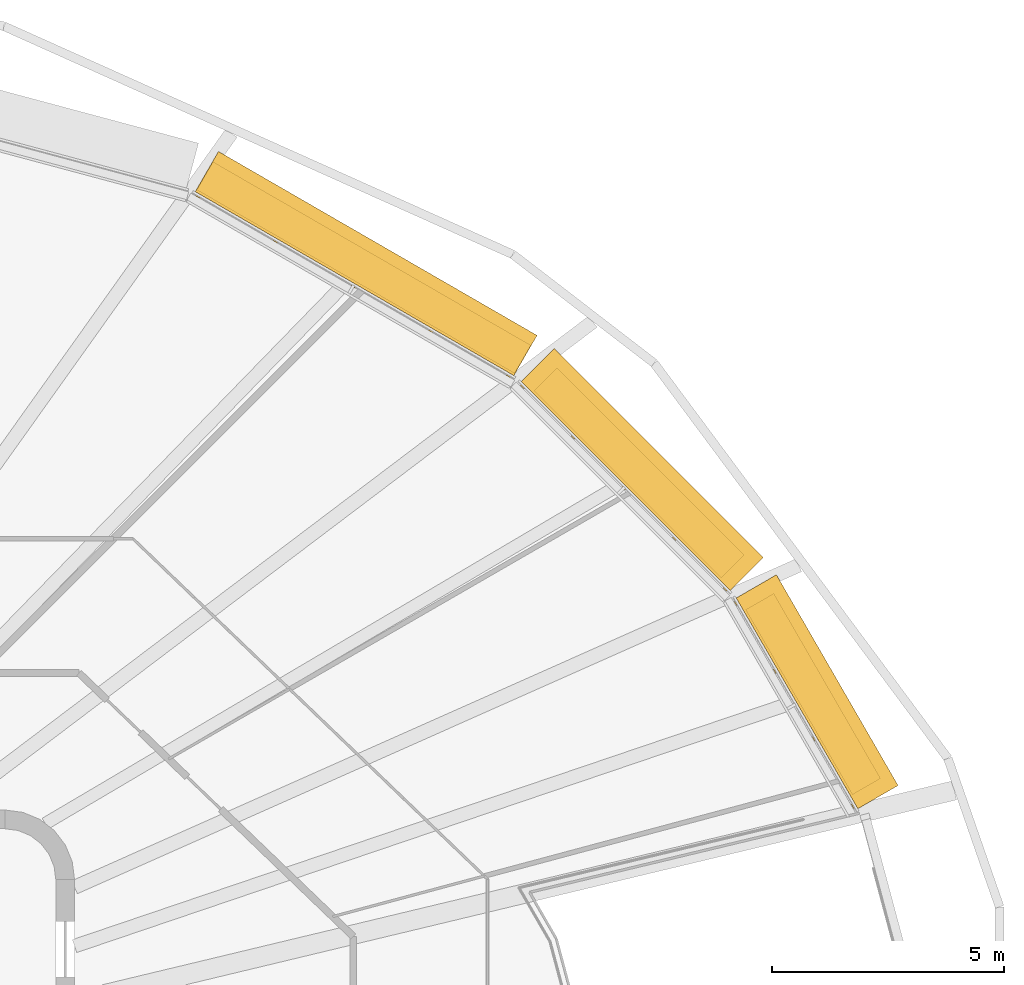
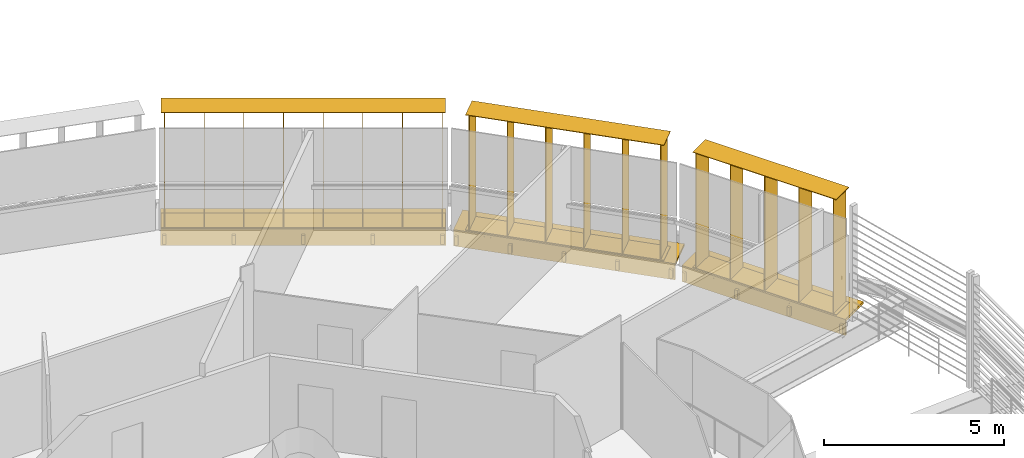
# One storey, part 21 of 21: 6 shading devices.
"""IFC4 building model written with IfcOpenShell, lengths in metres."""

from ifc_helpers import new_model, si_unit, direction, frame, origin, origin_2d, place, context, subcontext, project, spatial, rectangle, extrude, material, type_object, element, save


model = new_model("IFC4")

# Units and contexts
model_context = context("Model", 3, precision=1e-05, world=origin(), true_north=direction((0.0, 1.0)))
body_context = subcontext(model_context, "Body", "Model", "MODEL_VIEW")
ifc_project = project(units=[si_unit("LENGTHUNIT", "METRE"), si_unit("AREAUNIT", "SQUARE_METRE"), si_unit("VOLUMEUNIT", "CUBIC_METRE"), si_unit("PLANEANGLEUNIT", "RADIAN"), si_unit("MASSUNIT", "GRAM", prefix="KILO")], contexts=[model_context])

# Site, building, storey
site_placement = place(None, origin())
site = spatial("IfcSite", under=ifc_project, at=site_placement, CompositionType="ELEMENT")
building_placement = place(site_placement, origin())
building = spatial("IfcBuilding", under=site, at=building_placement, Name="Sahrelin Media Tower", CompositionType="ELEMENT")
storey_placement = place(building_placement, frame((0.0, 0.0, 263.0)))
storey = spatial("IfcBuildingStorey", under=building, at=storey_placement, Name="L57", CompositionType="ELEMENT", Elevation=263.0)

# Shading devices
ifc_material = material(Name="Champagne anodised aluminium 6063-T6", Category="aluminium")
shading_device_type_1 = type_object("IfcShadingDeviceType", Name="Fin cassette", PredefinedType="USERDEFINED", material=ifc_material)
placement_1 = place(storey_placement, frame((27.537109375, 9.2861328125, 0.0), z_axis=(0.0, 0.0, 1.0), x_axis=(0.500011000363, -0.866019052629, 0.0)))
element("IfcShadingDevice", 1, at=placement_1, inside=storey, type_object=shading_device_type_1, Name="L57:FIN:L57-02", ObjectType="FIN", PredefinedType="USERDEFINED", context=body_context, shape_type="SweptSolid", body=[
    extrude(rectangle(XDim=4.60009765625, YDim=0.699951171875, at=origin_2d()), frame((0.0, 0.419921875, 0.0)), (0.0, 0.0, 1.0), 0.02001953125),
    extrude(rectangle(XDim=4.60009765625, YDim=0.699951171875, at=origin_2d()), frame((0.0, 0.419921875, 3.89990234375)), (0.0, 0.0, 1.0), 0.02001953125),
    extrude(rectangle(XDim=0.02001953125, YDim=0.699951171875, at=origin_2d()), frame((-2.199951171875, 0.419921875, 0.010009765625), z_axis=(0.0, 0.0, 1.0), x_axis=(1.0, 0.0, 0.0)), (0.0, 0.0, 1.0), 3.89990234375),
    extrude(rectangle(XDim=0.02001953125, YDim=0.699951171875, at=origin_2d()), frame((-1.10009765625, 0.419921875, 0.010009765625), z_axis=(0.0, 0.0, 1.0), x_axis=(1.0, 0.0, 0.0)), (0.0, 0.0, 1.0), 3.89990234375),
    extrude(rectangle(XDim=0.02001953125, YDim=0.699951171875, at=origin_2d()), frame((0.0, 0.419921875, 0.010009765625), z_axis=(0.0, 0.0, 1.0), x_axis=(1.0, 0.0, 0.0)), (0.0, 0.0, 1.0), 3.89990234375),
    extrude(rectangle(XDim=0.02001953125, YDim=0.699951171875, at=origin_2d()), frame((1.10009765625, 0.419921875, 0.010009765625), z_axis=(0.0, 0.0, 1.0), x_axis=(1.0, 0.0, 0.0)), (0.0, 0.0, 1.0), 3.89990234375),
    extrude(rectangle(XDim=0.02001953125, YDim=0.699951171875, at=origin_2d()), frame((2.199951171875, 0.419921875, 0.010009765625), z_axis=(0.0, 0.0, 1.0), x_axis=(1.0, 0.0, 0.0)), (0.0, 0.0, 1.0), 3.89990234375),
])
placement_2 = place(storey_placement, frame((23.85546875, 13.962890625, 0.0), z_axis=(0.0, 0.0, 1.0), x_axis=(0.707106781187, -0.707106781187, 0.0)))
element("IfcShadingDevice", 2, at=placement_2, inside=storey, type_object=shading_device_type_1, Name="L57:FIN:L57-03", ObjectType="FIN", PredefinedType="USERDEFINED", context=body_context, shape_type="SweptSolid", body=[
    extrude(rectangle(XDim=5.699951171875, YDim=0.699951171875, at=origin_2d()), frame((0.0, 0.419921875, 0.0)), (0.0, 0.0, 1.0), 0.02001953125),
    extrude(rectangle(XDim=5.699951171875, YDim=0.699951171875, at=origin_2d()), frame((0.0, 0.419921875, 3.89990234375)), (0.0, 0.0, 1.0), 0.02001953125),
    extrude(rectangle(XDim=0.02001953125, YDim=0.699951171875, at=origin_2d()), frame((-2.75, 0.419921875, 0.010009765625), z_axis=(0.0, 0.0, 1.0), x_axis=(1.0, 0.0, 0.0)), (0.0, 0.0, 1.0), 3.89990234375),
    extrude(rectangle(XDim=0.02001953125, YDim=0.699951171875, at=origin_2d()), frame((-1.64990234375, 0.419921875, 0.010009765625), z_axis=(0.0, 0.0, 1.0), x_axis=(1.0, 0.0, 0.0)), (0.0, 0.0, 1.0), 3.89990234375),
    extrude(rectangle(XDim=0.02001953125, YDim=0.699951171875, at=origin_2d()), frame((-0.550048828125, 0.419921875, 0.010009765625), z_axis=(0.0, 0.0, 1.0), x_axis=(1.0, 0.0, 0.0)), (0.0, 0.0, 1.0), 3.89990234375),
    extrude(rectangle(XDim=0.02001953125, YDim=0.699951171875, at=origin_2d()), frame((0.550048828125, 0.419921875, 0.010009765625), z_axis=(0.0, 0.0, 1.0), x_axis=(1.0, 0.0, 0.0)), (0.0, 0.0, 1.0), 3.89990234375),
    extrude(rectangle(XDim=0.02001953125, YDim=0.699951171875, at=origin_2d()), frame((1.64990234375, 0.419921875, 0.010009765625), z_axis=(0.0, 0.0, 1.0), x_axis=(1.0, 0.0, 0.0)), (0.0, 0.0, 1.0), 3.89990234375),
    extrude(rectangle(XDim=0.02001953125, YDim=0.699951171875, at=origin_2d()), frame((2.75, 0.419921875, 0.010009765625), z_axis=(0.0, 0.0, 1.0), x_axis=(1.0, 0.0, 0.0)), (0.0, 0.0, 1.0), 3.89990234375),
])
placement_3 = place(storey_placement, frame((18.017578125, 18.31494140625, 0.0), z_axis=(0.0, 0.0, 1.0), x_axis=(0.866019052629, -0.500011000363, 0.0)))
element("IfcShadingDevice", 3, at=placement_3, inside=storey, type_object=shading_device_type_1, Name="L57:FIN:L57-04", ObjectType="FIN", PredefinedType="USERDEFINED", context=body_context, shape_type="SweptSolid", body=[
    extrude(rectangle(XDim=7.89990234375, YDim=0.699951171875, at=origin_2d()), frame((0.0, 0.419921875, 0.0)), (0.0, 0.0, 1.0), 0.02001953125),
    extrude(rectangle(XDim=7.89990234375, YDim=0.699951171875, at=origin_2d()), frame((0.0, 0.419921875, 3.89990234375)), (0.0, 0.0, 1.0), 0.02001953125),
    extrude(rectangle(XDim=0.02001953125, YDim=0.699951171875, at=origin_2d()), frame((-3.85009765625, 0.419921875, 0.010009765625), z_axis=(0.0, 0.0, 1.0), x_axis=(1.0, 0.0, 0.0)), (0.0, 0.0, 1.0), 3.89990234375),
    extrude(rectangle(XDim=0.02001953125, YDim=0.699951171875, at=origin_2d()), frame((-2.75, 0.419921875, 0.010009765625), z_axis=(0.0, 0.0, 1.0), x_axis=(1.0, 0.0, 0.0)), (0.0, 0.0, 1.0), 3.89990234375),
    extrude(rectangle(XDim=0.02001953125, YDim=0.699951171875, at=origin_2d()), frame((-1.64990234375, 0.419921875, 0.010009765625), z_axis=(0.0, 0.0, 1.0), x_axis=(1.0, 0.0, 0.0)), (0.0, 0.0, 1.0), 3.89990234375),
    extrude(rectangle(XDim=0.02001953125, YDim=0.699951171875, at=origin_2d()), frame((-0.550048828125, 0.419921875, 0.010009765625), z_axis=(0.0, 0.0, 1.0), x_axis=(1.0, 0.0, 0.0)), (0.0, 0.0, 1.0), 3.89990234375),
    extrude(rectangle(XDim=0.02001953125, YDim=0.699951171875, at=origin_2d()), frame((0.550048828125, 0.419921875, 0.010009765625), z_axis=(0.0, 0.0, 1.0), x_axis=(1.0, 0.0, 0.0)), (0.0, 0.0, 1.0), 3.89990234375),
    extrude(rectangle(XDim=0.02001953125, YDim=0.699951171875, at=origin_2d()), frame((1.64990234375, 0.419921875, 0.010009765625), z_axis=(0.0, 0.0, 1.0), x_axis=(1.0, 0.0, 0.0)), (0.0, 0.0, 1.0), 3.89990234375),
    extrude(rectangle(XDim=0.02001953125, YDim=0.699951171875, at=origin_2d()), frame((2.75, 0.419921875, 0.010009765625), z_axis=(0.0, 0.0, 1.0), x_axis=(1.0, 0.0, 0.0)), (0.0, 0.0, 1.0), 3.89990234375),
    extrude(rectangle(XDim=0.02001953125, YDim=0.699951171875, at=origin_2d()), frame((3.85009765625, 0.419921875, 0.010009765625), z_axis=(0.0, 0.0, 1.0), x_axis=(1.0, 0.0, 0.0)), (0.0, 0.0, 1.0), 3.89990234375),
])
shading_device_type_2 = type_object("IfcShadingDeviceType", Name="Sunshade band", PredefinedType="USERDEFINED", material=ifc_material)
element("IfcShadingDevice", 4, at=placement_1, inside=storey, type_object=shading_device_type_2, Name="L57:SUN:L57-02", ObjectType="SUNSHADE", PredefinedType="USERDEFINED", context=body_context, shape_type="SweptSolid", body=[
    extrude(rectangle(XDim=5.239013671875, YDim=0.050048828125, at=origin_2d()), frame((0.0, 0.044921875, -0.55126953125)), (0.0, 0.0, 1.0), 0.471435546875),
    extrude(rectangle(XDim=5.239013671875, YDim=1.0, at=origin_2d()), frame((0.0, 0.52001953125, -0.080078125)), (0.0, 0.0, 1.0), 0.080078125),
    extrude(rectangle(XDim=0.10009765625, YDim=0.074951171875, at=origin_2d()), frame((-2.51953125, -0.017578125, -0.47021484375)), (0.0, 0.0, 1.0), 0.300048828125),
    extrude(rectangle(XDim=0.10009765625, YDim=0.074951171875, at=origin_2d()), frame((-0.83984375, -0.017578125, -0.47021484375)), (0.0, 0.0, 1.0), 0.300048828125),
    extrude(rectangle(XDim=0.10009765625, YDim=0.074951171875, at=origin_2d()), frame((0.83984375, -0.017578125, -0.47021484375)), (0.0, 0.0, 1.0), 0.300048828125),
    extrude(rectangle(XDim=0.10009765625, YDim=0.074951171875, at=origin_2d()), frame((2.51953125, -0.017578125, -0.47021484375)), (0.0, 0.0, 1.0), 0.300048828125),
])
element("IfcShadingDevice", 5, at=placement_2, inside=storey, type_object=shading_device_type_2, Name="L57:SUN:L57-03", ObjectType="SUNSHADE", PredefinedType="USERDEFINED", context=body_context, shape_type="SweptSolid", body=[
    extrude(rectangle(XDim=6.3671875, YDim=0.050048828125, at=origin_2d()), frame((0.0, 0.044921875, -0.55126953125)), (0.0, 0.0, 1.0), 0.471435546875),
    extrude(rectangle(XDim=6.3671875, YDim=1.0, at=origin_2d()), frame((0.0, 0.52001953125, -0.080078125)), (0.0, 0.0, 1.0), 0.080078125),
    extrude(rectangle(XDim=0.10009765625, YDim=0.074951171875, at=origin_2d()), frame((-3.08349609375, -0.017578125, -0.47021484375)), (0.0, 0.0, 1.0), 0.300048828125),
    extrude(rectangle(XDim=0.10009765625, YDim=0.074951171875, at=origin_2d()), frame((-1.541748046875, -0.017578125, -0.47021484375)), (0.0, 0.0, 1.0), 0.300048828125),
    extrude(rectangle(XDim=0.10009765625, YDim=0.074951171875, at=origin_2d()), frame((0.0, -0.017578125, -0.47021484375)), (0.0, 0.0, 1.0), 0.300048828125),
    extrude(rectangle(XDim=0.10009765625, YDim=0.074951171875, at=origin_2d()), frame((1.541748046875, -0.017578125, -0.47021484375)), (0.0, 0.0, 1.0), 0.300048828125),
    extrude(rectangle(XDim=0.10009765625, YDim=0.074951171875, at=origin_2d()), frame((3.08349609375, -0.017578125, -0.47021484375)), (0.0, 0.0, 1.0), 0.300048828125),
])
element("IfcShadingDevice", 6, at=placement_3, inside=storey, type_object=shading_device_type_2, Name="L57:SUN:L57-04", ObjectType="SUNSHADE", PredefinedType="USERDEFINED", context=body_context, shape_type="SweptSolid", body=[
    extrude(rectangle(XDim=7.92041015625, YDim=0.050048828125, at=origin_2d()), frame((0.0, 0.044921875, -0.55126953125)), (0.0, 0.0, 1.0), 0.471435546875),
    extrude(rectangle(XDim=7.92041015625, YDim=1.0, at=origin_2d()), frame((0.0, 0.52001953125, -0.080078125)), (0.0, 0.0, 1.0), 0.080078125),
    extrude(rectangle(XDim=0.10009765625, YDim=0.074951171875, at=origin_2d()), frame((-3.860107421875, -0.017578125, -0.47021484375)), (0.0, 0.0, 1.0), 0.300048828125),
    extrude(rectangle(XDim=0.10009765625, YDim=0.074951171875, at=origin_2d()), frame((-1.93017578125, -0.017578125, -0.47021484375)), (0.0, 0.0, 1.0), 0.300048828125),
    extrude(rectangle(XDim=0.10009765625, YDim=0.074951171875, at=origin_2d()), frame((0.0, -0.017578125, -0.47021484375)), (0.0, 0.0, 1.0), 0.300048828125),
    extrude(rectangle(XDim=0.10009765625, YDim=0.074951171875, at=origin_2d()), frame((1.93017578125, -0.017578125, -0.47021484375)), (0.0, 0.0, 1.0), 0.300048828125),
    extrude(rectangle(XDim=0.10009765625, YDim=0.074951171875, at=origin_2d()), frame((3.860107421875, -0.017578125, -0.47021484375)), (0.0, 0.0, 1.0), 0.300048828125),
])

save(model, "model.ifc")
